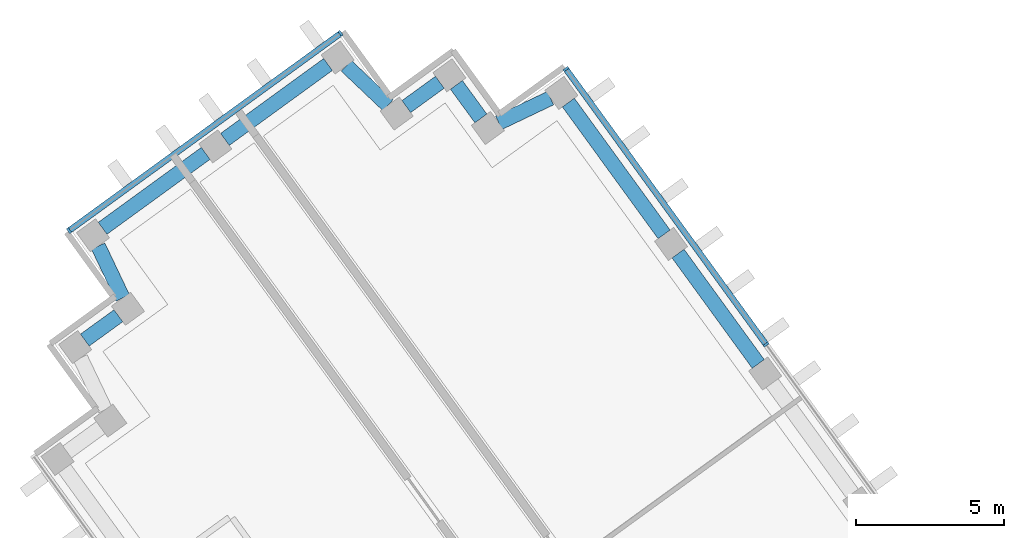
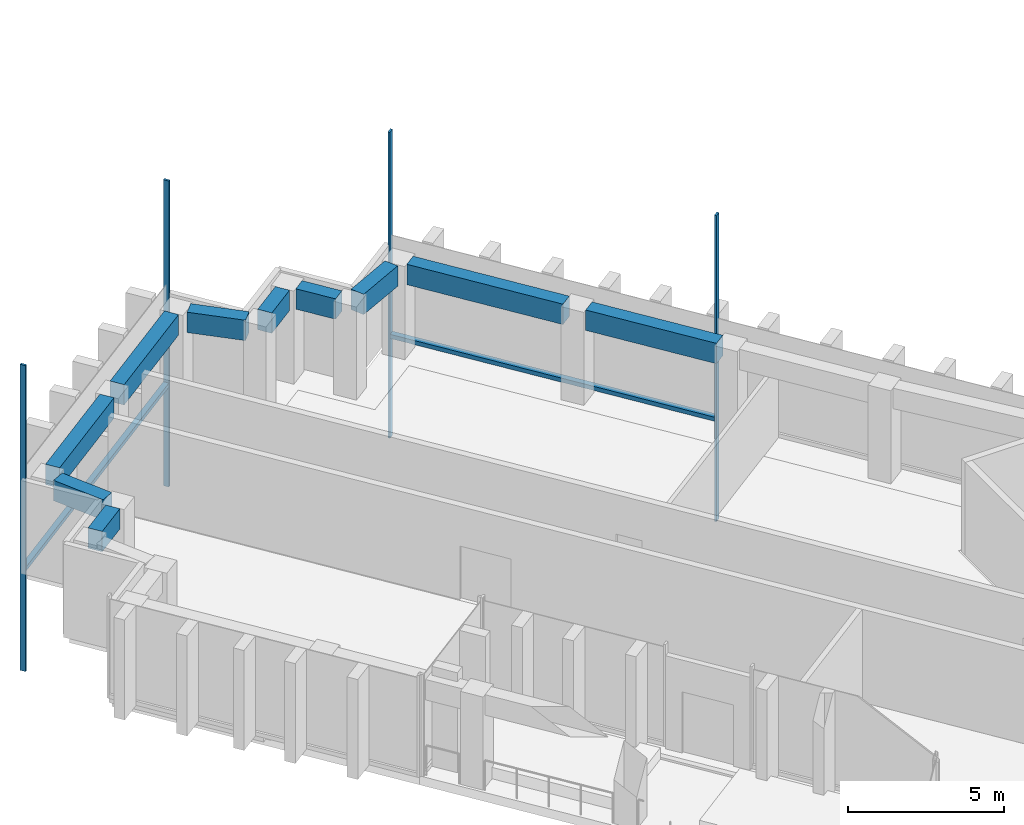
# One storey, part 4 of 15: 10 beams, 6 members, 2 elements without a shape of their own.
"""IFC4 building model written with IfcOpenShell, lengths in metres."""

import ifcopenshell
import ifcopenshell.guid

model = None  # the IFC model being written
_history = None  # IfcOwnerHistory: only IFC2X3 demands one
_inside = {}  # id of a spatial element -> (the spatial element, [elements in it])
_under = {}  # id of a project, library or spatial element -> (it, [spatial elements below it])
_declared = {}  # id of a project -> (the project, [libraries it declares])
_typed = {}  # id of a type object -> (the type object, [elements of that type])
_made_of = {}  # id of a material, layer set ... -> (it, [elements and type objects made of it])


def new_model(schema):
    """Start an empty IFC model of exactly this schema.

    Asked for "IFC4X3", IfcOpenShell would pick the latest addendum, in which some entities
    have other attributes; the version numbers below select the first issue.
    IFC2X3 requires an IfcOwnerHistory on every rooted entity: one is made here for all.
    """
    global model, _history
    if schema == "IFC4X3":
        model = ifcopenshell.file(schema_version=(4, 3, 0, 0))
    else:
        model = ifcopenshell.file(schema=schema)
    _inside.clear()
    _under.clear()
    _declared.clear()
    _typed.clear()
    _made_of.clear()
    _history = None
    if model.schema == "IFC2X3":
        org = make("IfcOrganization", Name="unknown")
        user = make(
            "IfcPersonAndOrganization",
            ThePerson=make("IfcPerson", FamilyName="unknown"),
            TheOrganization=org,
        )
        app = make(
            "IfcApplication",
            ApplicationDeveloper=org,
            Version="unknown",
            ApplicationFullName="unknown",
            ApplicationIdentifier="unknown",
        )
        _history = make(
            "IfcOwnerHistory",
            OwningUser=user,
            OwningApplication=app,
            ChangeAction="ADDED",
            CreationDate=0,
        )
    return model


def make(cls, **values):
    """One entity of the class cls with the attributes given. An attribute that is None is left unset."""
    return model.create_entity(
        cls, **{name: value for name, value in values.items() if value is not None}
    )


def rooted(cls, **values):
    """An entity with a GlobalId (a new one), such as an element, a storey or a relation."""
    return make(cls, GlobalId=ifcopenshell.guid.new(), OwnerHistory=_history, **values)


def si_unit(unit_type, name, prefix=None):
    """IfcSIUnit, for example si_unit("LENGTHUNIT", "METRE", prefix="MILLI")."""
    return make("IfcSIUnit", UnitType=unit_type, Prefix=prefix, Name=name)


def assignment(units):
    """IfcUnitAssignment: the units of a project."""
    return None if units is None else make("IfcUnitAssignment", Units=units)


def point(xyz):
    """IfcCartesianPoint."""
    return None if xyz is None else make("IfcCartesianPoint", Coordinates=xyz)


def direction(xyz):
    """IfcDirection."""
    return None if xyz is None else make("IfcDirection", DirectionRatios=xyz)


def frame(location, z_axis=None, x_axis=None):
    """IfcAxis2Placement3D, a coordinate frame: its origin and axes. An axis left out is left unset."""
    return make(
        "IfcAxis2Placement3D",
        Location=point(location),
        Axis=direction(z_axis),
        RefDirection=direction(x_axis),
    )


def frame_2d(location, x_axis=None):
    """IfcAxis2Placement2D, a coordinate frame in the plane: its origin and x axis."""
    return make(
        "IfcAxis2Placement2D", Location=point(location), RefDirection=direction(x_axis)
    )


def origin():
    """The frame at (0, 0, 0) with its axes left unset."""
    return frame((0.0, 0.0, 0.0))


def origin_2d():
    """The frame at (0, 0) in the plane with its x axis left unset."""
    return frame_2d((0.0, 0.0))


def place(relative_to, where):
    """IfcLocalPlacement: puts the frame where relative to a parent placement (None: the world)."""
    return make(
        "IfcLocalPlacement", PlacementRelTo=relative_to, RelativePlacement=where
    )


def context(
    kind, dimensions, precision=None, world=None, true_north=None, identifier=None
):
    """IfcGeometricRepresentationContext, for example the 3D "Model" context."""
    return make(
        "IfcGeometricRepresentationContext",
        ContextIdentifier=identifier,
        ContextType=kind,
        CoordinateSpaceDimension=dimensions,
        Precision=precision,
        WorldCoordinateSystem=world,
        TrueNorth=true_north,
    )


def subcontext(parent, identifier, kind, view, scale=None):
    """IfcGeometricRepresentationSubContext, for example "Body" below "Model"."""
    return make(
        "IfcGeometricRepresentationSubContext",
        ContextIdentifier=identifier,
        ContextType=kind,
        ParentContext=parent,
        TargetScale=scale,
        TargetView=view,
    )


def project(units=None, contexts=None):
    """IfcProject with its units and contexts."""
    return rooted(
        "IfcProject",
        Name="project",
        RepresentationContexts=contexts,
        UnitsInContext=assignment(units),
    )


def spatial(cls, under=None, at=None, **own):
    """A site, building, storey or space (cls), placed at a placement, below another one or the project."""
    s = rooted(cls, ObjectPlacement=at, **own)
    if under is not None:
        _under.setdefault(under.id(), (under, []))[1].append(s)
    return s


def profile(cls, at=None, kind="AREA", **sizes):
    """A parametric profile (cls). Its sizes go by their IFC names, for example OverallWidth=200.0."""
    return make(cls, ProfileType=kind, Position=at, **sizes)


def rectangle(**sizes):
    """IfcRectangleProfileDef."""
    return profile("IfcRectangleProfileDef", **sizes)


def extrude(swept, where, along, depth):
    """IfcExtrudedAreaSolid: the profile swept, set in the frame where, extruded along a direction by depth."""
    return make(
        "IfcExtrudedAreaSolid",
        SweptArea=swept,
        Position=where,
        ExtrudedDirection=direction(along),
        Depth=depth,
    )


def shape(context_of_items, identifier, shape_type, items):
    """IfcShapeRepresentation: the items that make up one representation, for example the "Body"."""
    return make(
        "IfcShapeRepresentation",
        ContextOfItems=context_of_items,
        RepresentationIdentifier=identifier,
        RepresentationType=shape_type,
        Items=items,
    )


def material(Name=None, Category=None):
    """IfcMaterial."""
    return make("IfcMaterial", Name=Name, Category=Category)


def material_profile(
    of_material, cross_section, Name=None, Category=None, Priority=None
):
    """IfcMaterialProfile: a cross section and its material."""
    return make(
        "IfcMaterialProfile",
        Name=Name,
        Material=of_material,
        Profile=cross_section,
        Priority=Priority,
        Category=Category,
    )


def profile_set(profiles, Name=None, composite=None):
    """IfcMaterialProfileSet."""
    return make(
        "IfcMaterialProfileSet",
        Name=Name,
        MaterialProfiles=profiles,
        CompositeProfile=composite,
    )


def made_of(thing, what):
    """Note that an element or type object is made of a material, layer set ...; save() writes the relation."""
    if what is not None:
        _made_of.setdefault(what.id(), (what, []))[1].append(thing)
    return thing


def type_object(cls, material=None, **own):
    """A type object (cls), such as IfcWallType, which elements share."""
    return made_of(rooted(cls, **own), material)


def element(
    cls,
    number,
    at=None,
    inside=None,
    cuts=None,
    type_object=None,
    material=None,
    context=None,
    identifier="Body",
    shape_type=None,
    held_by="IfcProductDefinitionShape",
    body=None,
    shapes=None,
    **own,
):
    """One element of the class cls, such as IfcWall. Its Tag is "e" and its number.

    at: its placement. inside: the storey or other place that contains it. cuts: it is an
    opening in that element (IfcRelVoidsElement). A single representation is given by context,
    identifier, shape_type and body (its items); several are given by shapes. held_by: the class
    of the entity that holds the representations. save() writes the other relations.
    """
    e = rooted(cls, Tag="e%d" % number, ObjectPlacement=at, **own)
    if body is not None:
        shapes = [shape(context, identifier, shape_type, body)]
    if shapes is not None:
        e.Representation = make(held_by, Representations=shapes)
    if inside is not None:
        _inside.setdefault(inside.id(), (inside, []))[1].append(e)
    if cuts is not None:
        rooted(
            "IfcRelVoidsElement", RelatingBuildingElement=cuts, RelatedOpeningElement=e
        )
    if type_object is not None:
        _typed.setdefault(type_object.id(), (type_object, []))[1].append(e)
    return made_of(e, material)


def aggregate(whole, parts):
    """IfcRelAggregates: a whole, such as a stair, and the parts it consists of."""
    return rooted("IfcRelAggregates", RelatingObject=whole, RelatedObjects=parts)


def save(model, path):
    """Write the relations noted so far, then the file.

    IfcRelAggregates (storeys below a building ...), IfcRelContainedInSpatialStructure (elements
    in a storey), IfcRelDefinesByType, IfcRelAssociatesMaterial and IfcRelDeclares: one each for
    every whole, place, type object, material and project.
    """
    for whole, parts in _under.values():
        aggregate(whole, parts)
    for where, things in _inside.values():
        rooted(
            "IfcRelContainedInSpatialStructure",
            RelatedElements=things,
            RelatingStructure=where,
        )
    for kind, things in _typed.values():
        rooted("IfcRelDefinesByType", RelatedObjects=things, RelatingType=kind)
    for what, things in _made_of.values():
        rooted("IfcRelAssociatesMaterial", RelatedObjects=things, RelatingMaterial=what)
    for by, libraries in _declared.values():
        rooted("IfcRelDeclares", RelatingContext=by, RelatedDefinitions=libraries)
    model.write(path)


model = new_model("IFC4")

# Units and contexts
model_context = context("Model", 3, precision=1e-05, world=origin(), true_north=direction((0.0, 1.0)))
body_context = subcontext(model_context, "Body", "Model", "MODEL_VIEW")
ifc_project = project(units=[si_unit("LENGTHUNIT", "METRE"), si_unit("AREAUNIT", "SQUARE_METRE"), si_unit("VOLUMEUNIT", "CUBIC_METRE"), si_unit("PLANEANGLEUNIT", "RADIAN"), si_unit("MASSUNIT", "GRAM", prefix="KILO")], contexts=[model_context])

# Site, building, storey
site_placement = place(None, origin())
site = spatial("IfcSite", under=ifc_project, at=site_placement, CompositionType="ELEMENT")
building_placement = place(site_placement, origin())
building = spatial("IfcBuilding", under=site, at=building_placement, Name="Quipu Civic Tower", CompositionType="ELEMENT")
storey_placement = place(building_placement, frame((0.0, 0.0, 160.0)))
storey = spatial("IfcBuildingStorey", under=building, at=storey_placement, Name="L37", CompositionType="ELEMENT", Elevation=160.0)

# Curtain wall, members
ifc_material_1 = material(Name="Insulated glass unit", Category="glass")
curtain_wall_type = type_object("IfcCurtainWallType", Name="Office curtain wall CW1", PredefinedType="NOTDEFINED", material=ifc_material_1)
curtain_wall_1_placement = place(storey_placement, origin())
curtain_wall_1 = element("IfcCurtainWall", 1, at=curtain_wall_1_placement, inside=storey, type_object=curtain_wall_type, Name="Office curtain wall CW1 L36 run 10", PredefinedType="NOTDEFINED")
ifc_material_2 = material(Name="Anodised aluminium", Category="aluminium")
ifc_material_profile_1 = material_profile(ifc_material_2, rectangle(XDim=0.199951171875, YDim=0.080078125, at=origin_2d()), Name="RECT 200x80")
ifc_profile_set_1 = profile_set([ifc_material_profile_1], Name="Anodised aluminium")
member_type_1 = type_object("IfcMemberType", Name="Mullion CW1", PredefinedType="MULLION", material=ifc_profile_set_1)
member_1_placement = place(storey_placement, frame((-21.11669921875, 20.421630859375, -3.919921875), z_axis=(0.0, 0.0, 1.0), x_axis=(-0.809014469803, -0.587788727052, 0.0)))
member_1 = element("IfcMember", 2, at=member_1_placement, type_object=member_type_1, Name="CW1 mullion 2", PredefinedType="MULLION", context=body_context, shape_type="SweptSolid", body=[
    extrude(rectangle(XDim=0.199951171875, YDim=0.080078125, at=origin_2d()), origin(), (0.0, 0.0, 1.0), 12.0),
])
member_2_placement = place(storey_placement, frame((-27.865966796875, 29.7109375, -3.919921875), z_axis=(0.0, 0.0, 1.0), x_axis=(-0.809014469803, -0.587788727052, 0.0)))
member_2 = element("IfcMember", 3, at=member_2_placement, type_object=member_type_1, Name="CW1 mullion 3", PredefinedType="MULLION", context=body_context, shape_type="SweptSolid", body=[
    extrude(rectangle(XDim=0.199951171875, YDim=0.080078125, at=origin_2d()), origin(), (0.0, 0.0, 1.0), 12.0),
])

curtain_wall_2_placement = place(storey_placement, origin())
curtain_wall_2 = element("IfcCurtainWall", 4, at=curtain_wall_2_placement, inside=storey, type_object=curtain_wall_type, Name="Office curtain wall CW1 L36 run 15", PredefinedType="NOTDEFINED")
member_3_placement = place(storey_placement, frame((-35.46435546875, 30.914306640625, -3.919921875), z_axis=(0.0, 0.0, 1.0), x_axis=(0.587787753918, -0.809015176832, 0.0)))
member_3 = element("IfcMember", 5, at=member_3_placement, type_object=member_type_1, Name="CW1 mullion 1", PredefinedType="MULLION", context=body_context, shape_type="SweptSolid", body=[
    extrude(rectangle(XDim=0.199951171875, YDim=0.080078125, at=origin_2d()), origin(), (0.0, 0.0, 1.0), 12.0),
])
member_4_placement = place(storey_placement, frame((-44.62255859375, 24.260498046875, -3.919921875), z_axis=(0.0, 0.0, 1.0), x_axis=(0.587787753918, -0.809015176832, 0.0)))
member_4 = element("IfcMember", 6, at=member_4_placement, type_object=member_type_1, Name="CW1 mullion 2", PredefinedType="MULLION", context=body_context, shape_type="SweptSolid", body=[
    extrude(rectangle(XDim=0.199951171875, YDim=0.080078125, at=origin_2d()), origin(), (0.0, 0.0, 1.0), 12.0),
])

# Beams
ifc_material_3 = material(Name="Concrete C50/60", Category="concrete")
ifc_material_profile_2 = material_profile(ifc_material_3, rectangle(XDim=0.5, YDim=0.800048828125, at=origin_2d()), Name="RC500x800")
ifc_profile_set_2 = profile_set([ifc_material_profile_2], Name="Concrete C50/60")
beam_type = type_object("IfcBeamType", Name="Spandrel beam RC 500x800 C50/60", PredefinedType="SPANDREL", material=ifc_profile_set_2)
beam_1_placement = place(storey_placement, frame((-21.382568359375, 19.767333984375, 3.25), z_axis=(-0.587736122681, 0.809052686848, 0.0), x_axis=(-0.809052686848, -0.587736122681, 0.0)))
element("IfcBeam", 7, at=beam_1_placement, inside=storey, type_object=beam_type, Name="Spandrel beam L37 W-IN-02 to W-IN-03", PredefinedType="SPANDREL", context=body_context, shape_type="SweptSolid", body=[
    extrude(rectangle(XDim=0.5, YDim=0.800048828125, at=origin_2d()), origin(), (0.0, 0.0, 1.0), 4.60009765625),
])
beam_2_placement = place(storey_placement, frame((-24.556396484375, 24.13623046875, 3.25), z_axis=(-0.587664254196, 0.809104890815, 0.0), x_axis=(-0.809104890815, -0.587664254196, 0.0)))
element("IfcBeam", 8, at=beam_2_placement, inside=storey, type_object=beam_type, Name="Spandrel beam L37 W-IN-03 to T-Wi.0-W34", PredefinedType="SPANDREL", context=body_context, shape_type="SweptSolid", body=[
    extrude(rectangle(XDim=0.5, YDim=0.800048828125, at=origin_2d()), origin(), (0.0, 0.0, 1.0), 5.493896484375),
])
beam_3_placement = place(storey_placement, frame((-28.38720703125, 28.72998046875, 3.25), z_axis=(-0.902584802379, -0.430512107279, 0.0), x_axis=(0.430512107279, -0.902584802379, 0.0)))
element("IfcBeam", 9, at=beam_3_placement, inside=storey, type_object=beam_type, Name="Spandrel beam L37 T-Wi.0-W34 to T-Wi.1-W34", PredefinedType="SPANDREL", context=body_context, shape_type="SweptSolid", body=[
    extrude(rectangle(XDim=0.5, YDim=0.800048828125, at=origin_2d()), origin(), (0.0, 0.0, 1.0), 1.9326171875),
])
beam_4_placement = place(storey_placement, frame((-30.734375, 28.0458984375, 3.25), z_axis=(-0.589342949835, 0.80788296645, 0.0), x_axis=(-0.80788296645, -0.589342949835, 0.0)))
element("IfcBeam", 10, at=beam_4_placement, inside=storey, type_object=beam_type, Name="Spandrel beam L37 T-Wi.1-W34 to T-Wi.2-W34", PredefinedType="SPANDREL", context=body_context, shape_type="SweptSolid", body=[
    extrude(rectangle(XDim=0.5, YDim=0.800048828125, at=origin_2d()), origin(), (0.0, 0.0, 1.0), 1.39990234375),
])
beam_5_placement = place(storey_placement, frame((-32.118896484375, 29.26513671875, 3.25), z_axis=(-0.80941533633, -0.587236590578, 0.0), x_axis=(0.587236590578, -0.80941533633, 0.0)))
element("IfcBeam", 11, at=beam_5_placement, inside=storey, type_object=beam_type, Name="Spandrel beam L37 T-Wi.2-W34 to T-Wi.3-W34", PredefinedType="SPANDREL", context=body_context, shape_type="SweptSolid", body=[
    extrude(rectangle(XDim=0.5, YDim=0.800048828125, at=origin_2d()), origin(), (0.0, 0.0, 1.0), 1.397705078125),
])
beam_6_placement = place(storey_placement, frame((-33.868896484375, 28.489501953125, 3.25), z_axis=(-0.72519185421, 0.68854685722, 0.0), x_axis=(-0.68854685722, -0.72519185421, 0.0)))
element("IfcBeam", 12, at=beam_6_placement, inside=storey, type_object=beam_type, Name="Spandrel beam L37 T-Wi.3-W34 to T-Wi.4-W34", PredefinedType="SPANDREL", context=body_context, shape_type="SweptSolid", body=[
    extrude(rectangle(XDim=0.5, YDim=0.800048828125, at=origin_2d()), origin(), (0.0, 0.0, 1.0), 1.93212890625),
])
beam_7_placement = place(storey_placement, frame((-35.888671875, 29.86474609375, 3.25), z_axis=(-0.808983997561, -0.58783066583, 0.0), x_axis=(0.58783066583, -0.808983997561, 0.0)))
element("IfcBeam", 13, at=beam_7_placement, inside=storey, type_object=beam_type, Name="Spandrel beam L37 T-Wi.4-W34 to TIP-W-01-W34", PredefinedType="SPANDREL", context=body_context, shape_type="SweptSolid", body=[
    extrude(rectangle(XDim=0.5, YDim=0.800048828125, at=origin_2d()), origin(), (0.0, 0.0, 1.0), 4.2998046875),
])
beam_8_placement = place(storey_placement, frame((-40.014404296875, 26.866943359375, 3.25), z_axis=(-0.808947267178, -0.587881211578, 0.0), x_axis=(0.587881211578, -0.808947267178, 0.0)))
element("IfcBeam", 14, at=beam_8_placement, inside=storey, type_object=beam_type, Name="Spandrel beam L37 TIP-W-01-W34 to T-Wo.0-W34", PredefinedType="SPANDREL", context=body_context, shape_type="SweptSolid", body=[
    extrude(rectangle(XDim=0.5, YDim=0.800048828125, at=origin_2d()), origin(), (0.0, 0.0, 1.0), 4.29833984375),
])
beam_9_placement = place(storey_placement, frame((-43.64013671875, 23.737548828125, 3.25), z_axis=(0.429889421342, -0.902881545618, 0.0), x_axis=(0.902881545618, 0.429889421342, 0.0)))
element("IfcBeam", 15, at=beam_9_placement, inside=storey, type_object=beam_type, Name="Spandrel beam L37 T-Wo.0-W34 to T-Wo.1-W34", PredefinedType="SPANDREL", context=body_context, shape_type="SweptSolid", body=[
    extrude(rectangle(XDim=0.5, YDim=0.800048828125, at=origin_2d()), origin(), (0.0, 0.0, 1.0), 1.931396484375),
])
beam_10_placement = place(storey_placement, frame((-42.958740234375, 21.391357421875, 3.25), z_axis=(-0.809467380413, -0.587164849125, 0.0), x_axis=(0.587164849125, -0.809467380413, 0.0)))
element("IfcBeam", 16, at=beam_10_placement, inside=storey, type_object=beam_type, Name="Spandrel beam L37 T-Wo.1-W34 to T-Wo.2-W34", PredefinedType="SPANDREL", context=body_context, shape_type="SweptSolid", body=[
    extrude(rectangle(XDim=0.5, YDim=0.800048828125, at=origin_2d()), origin(), (0.0, 0.0, 1.0), 1.399169921875),
])

# Member
ifc_material_4 = material(Name="Anodised aluminium", Category="aluminium")
ifc_material_profile_3 = material_profile(ifc_material_4, rectangle(XDim=0.199951171875, YDim=0.159912109375, at=origin_2d()), Name="RECT 200x160")
ifc_profile_set_3 = profile_set([ifc_material_profile_3], Name="Anodised aluminium")
member_type_2 = type_object("IfcMemberType", Name="Transom CW1", PredefinedType="USERDEFINED", material=ifc_profile_set_3)
member_5_placement = place(storey_placement, frame((-21.140380859375, 20.453857421875, 0.080078125), z_axis=(-0.587775682251, 0.809023947331, 0.0), x_axis=(-0.809023947331, -0.587775682251, 0.0)))
member_5 = element("IfcMember", 17, at=member_5_placement, type_object=member_type_2, Name="CW1 transom 2.2", ObjectType="TRANSOM", PredefinedType="USERDEFINED", context=body_context, shape_type="SweptSolid", body=[
    extrude(rectangle(XDim=0.199951171875, YDim=0.159912109375, at=origin_2d()), origin(), (0.0, 0.0, 1.0), 11.402099609375),
])

aggregate(curtain_wall_1, [member_1, member_2, member_5])

member_6_placement = place(storey_placement, frame((-35.496826171875, 30.890869140625, 0.080078125), z_axis=(-0.809014959561, -0.587788052963, 0.0), x_axis=(0.587788052963, -0.809014959561, 0.0)))
member_6 = element("IfcMember", 18, at=member_6_placement, type_object=member_type_2, Name="CW1 transom 1.2", ObjectType="TRANSOM", PredefinedType="USERDEFINED", context=body_context, shape_type="SweptSolid", body=[
    extrude(rectangle(XDim=0.199951171875, YDim=0.159912109375, at=origin_2d()), origin(), (0.0, 0.0, 1.0), 11.239990234375),
])

aggregate(curtain_wall_2, [member_3, member_4, member_6])

save(model, "model.ifc")
